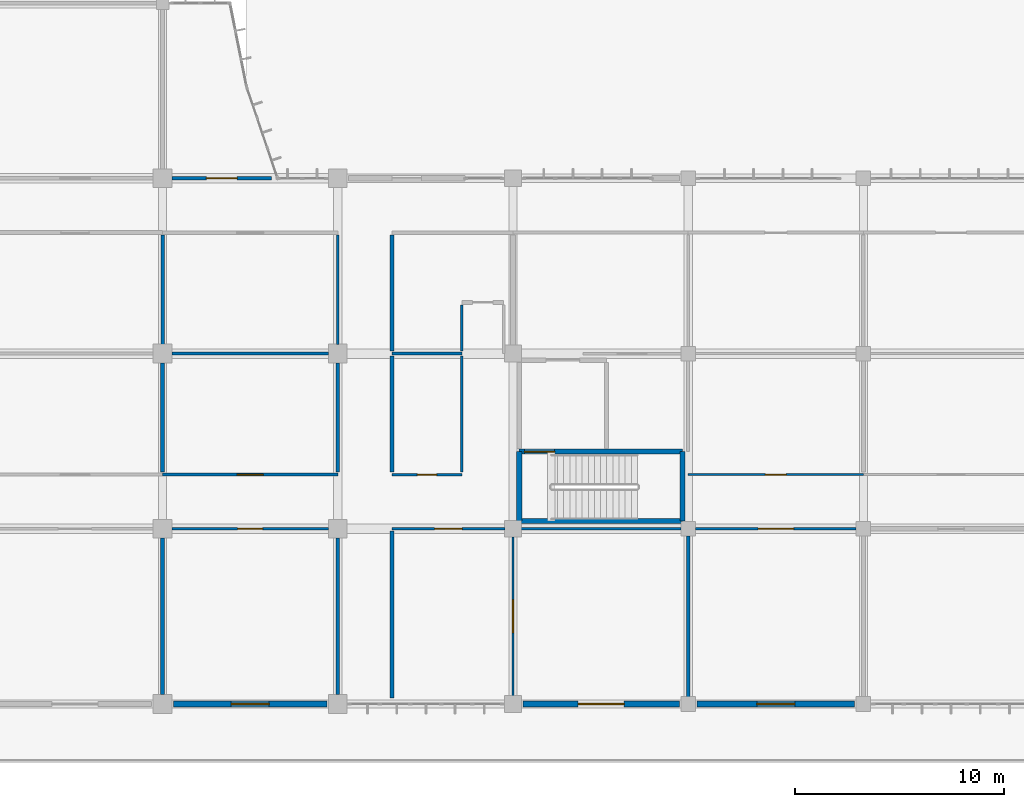
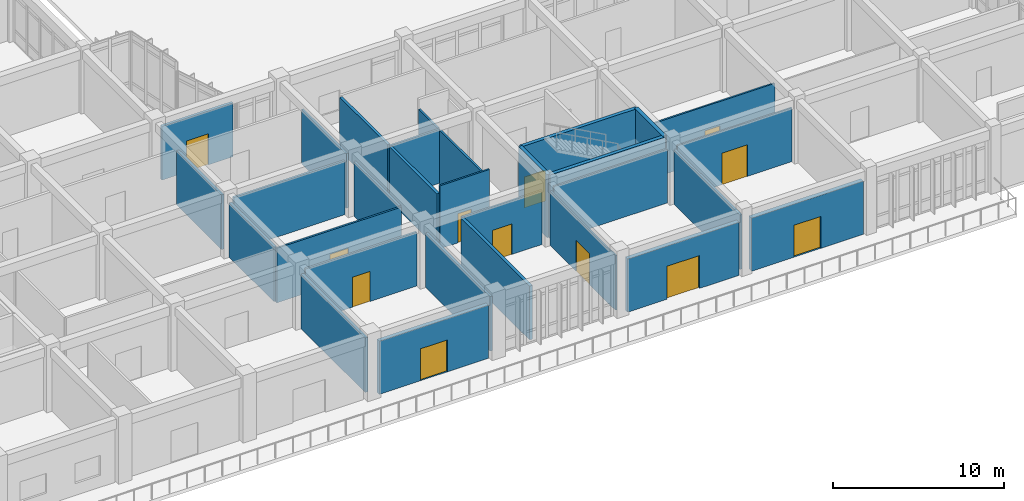
# One storey, part 107 of 138: 30 walls, 12 doors, 12 openings.
"""IFC4 building model written with IfcOpenShell, lengths in metres."""

import ifcopenshell
import ifcopenshell.guid

model = None  # the IFC model being written
_history = None  # IfcOwnerHistory: only IFC2X3 demands one
_inside = {}  # id of a spatial element -> (the spatial element, [elements in it])
_under = {}  # id of a project, library or spatial element -> (it, [spatial elements below it])
_declared = {}  # id of a project -> (the project, [libraries it declares])
_typed = {}  # id of a type object -> (the type object, [elements of that type])
_made_of = {}  # id of a material, layer set ... -> (it, [elements and type objects made of it])


def new_model(schema):
    """Start an empty IFC model of exactly this schema.

    Asked for "IFC4X3", IfcOpenShell would pick the latest addendum, in which some entities
    have other attributes; the version numbers below select the first issue.
    IFC2X3 requires an IfcOwnerHistory on every rooted entity: one is made here for all.
    """
    global model, _history
    if schema == "IFC4X3":
        model = ifcopenshell.file(schema_version=(4, 3, 0, 0))
    else:
        model = ifcopenshell.file(schema=schema)
    _inside.clear()
    _under.clear()
    _declared.clear()
    _typed.clear()
    _made_of.clear()
    _history = None
    if model.schema == "IFC2X3":
        org = make("IfcOrganization", Name="unknown")
        user = make(
            "IfcPersonAndOrganization",
            ThePerson=make("IfcPerson", FamilyName="unknown"),
            TheOrganization=org,
        )
        app = make(
            "IfcApplication",
            ApplicationDeveloper=org,
            Version="unknown",
            ApplicationFullName="unknown",
            ApplicationIdentifier="unknown",
        )
        _history = make(
            "IfcOwnerHistory",
            OwningUser=user,
            OwningApplication=app,
            ChangeAction="ADDED",
            CreationDate=0,
        )
    return model


def make(cls, **values):
    """One entity of the class cls with the attributes given. An attribute that is None is left unset."""
    return model.create_entity(
        cls, **{name: value for name, value in values.items() if value is not None}
    )


def rooted(cls, **values):
    """An entity with a GlobalId (a new one), such as an element, a storey or a relation."""
    return make(cls, GlobalId=ifcopenshell.guid.new(), OwnerHistory=_history, **values)


def si_unit(unit_type, name, prefix=None):
    """IfcSIUnit, for example si_unit("LENGTHUNIT", "METRE", prefix="MILLI")."""
    return make("IfcSIUnit", UnitType=unit_type, Prefix=prefix, Name=name)


def assignment(units):
    """IfcUnitAssignment: the units of a project."""
    return None if units is None else make("IfcUnitAssignment", Units=units)


def point(xyz):
    """IfcCartesianPoint."""
    return None if xyz is None else make("IfcCartesianPoint", Coordinates=xyz)


def direction(xyz):
    """IfcDirection."""
    return None if xyz is None else make("IfcDirection", DirectionRatios=xyz)


def frame(location, z_axis=None, x_axis=None):
    """IfcAxis2Placement3D, a coordinate frame: its origin and axes. An axis left out is left unset."""
    return make(
        "IfcAxis2Placement3D",
        Location=point(location),
        Axis=direction(z_axis),
        RefDirection=direction(x_axis),
    )


def frame_2d(location, x_axis=None):
    """IfcAxis2Placement2D, a coordinate frame in the plane: its origin and x axis."""
    return make(
        "IfcAxis2Placement2D", Location=point(location), RefDirection=direction(x_axis)
    )


def origin():
    """The frame at (0, 0, 0) with its axes left unset."""
    return frame((0.0, 0.0, 0.0))


def place(relative_to, where):
    """IfcLocalPlacement: puts the frame where relative to a parent placement (None: the world)."""
    return make(
        "IfcLocalPlacement", PlacementRelTo=relative_to, RelativePlacement=where
    )


def context(
    kind, dimensions, precision=None, world=None, true_north=None, identifier=None
):
    """IfcGeometricRepresentationContext, for example the 3D "Model" context."""
    return make(
        "IfcGeometricRepresentationContext",
        ContextIdentifier=identifier,
        ContextType=kind,
        CoordinateSpaceDimension=dimensions,
        Precision=precision,
        WorldCoordinateSystem=world,
        TrueNorth=true_north,
    )


def subcontext(parent, identifier, kind, view, scale=None):
    """IfcGeometricRepresentationSubContext, for example "Body" below "Model"."""
    return make(
        "IfcGeometricRepresentationSubContext",
        ContextIdentifier=identifier,
        ContextType=kind,
        ParentContext=parent,
        TargetScale=scale,
        TargetView=view,
    )


def project(units=None, contexts=None):
    """IfcProject with its units and contexts."""
    return rooted(
        "IfcProject",
        Name="project",
        RepresentationContexts=contexts,
        UnitsInContext=assignment(units),
    )


def spatial(cls, under=None, at=None, **own):
    """A site, building, storey or space (cls), placed at a placement, below another one or the project."""
    s = rooted(cls, ObjectPlacement=at, **own)
    if under is not None:
        _under.setdefault(under.id(), (under, []))[1].append(s)
    return s


def profile(cls, at=None, kind="AREA", **sizes):
    """A parametric profile (cls). Its sizes go by their IFC names, for example OverallWidth=200.0."""
    return make(cls, ProfileType=kind, Position=at, **sizes)


def rectangle(**sizes):
    """IfcRectangleProfileDef."""
    return profile("IfcRectangleProfileDef", **sizes)


def extrude(swept, where, along, depth):
    """IfcExtrudedAreaSolid: the profile swept, set in the frame where, extruded along a direction by depth."""
    return make(
        "IfcExtrudedAreaSolid",
        SweptArea=swept,
        Position=where,
        ExtrudedDirection=direction(along),
        Depth=depth,
    )


def shape(context_of_items, identifier, shape_type, items):
    """IfcShapeRepresentation: the items that make up one representation, for example the "Body"."""
    return make(
        "IfcShapeRepresentation",
        ContextOfItems=context_of_items,
        RepresentationIdentifier=identifier,
        RepresentationType=shape_type,
        Items=items,
    )


def material(Name=None, Category=None):
    """IfcMaterial."""
    return make("IfcMaterial", Name=Name, Category=Category)


def layer(
    of_material, thickness, ventilated=None, Name=None, Category=None, Priority=None
):
    """IfcMaterialLayer: one layer of a wall or slab, of a material (None: an air gap)."""
    return make(
        "IfcMaterialLayer",
        Material=of_material,
        LayerThickness=thickness,
        IsVentilated=ventilated,
        Name=Name,
        Category=Category,
        Priority=Priority,
    )


def layer_set(layers, Name=None):
    """IfcMaterialLayerSet."""
    return make("IfcMaterialLayerSet", MaterialLayers=layers, LayerSetName=Name)


def made_of(thing, what):
    """Note that an element or type object is made of a material, layer set ...; save() writes the relation."""
    if what is not None:
        _made_of.setdefault(what.id(), (what, []))[1].append(thing)
    return thing


def type_object(cls, material=None, **own):
    """A type object (cls), such as IfcWallType, which elements share."""
    return made_of(rooted(cls, **own), material)


def element(
    cls,
    number,
    at=None,
    inside=None,
    cuts=None,
    type_object=None,
    material=None,
    context=None,
    identifier="Body",
    shape_type=None,
    held_by="IfcProductDefinitionShape",
    body=None,
    shapes=None,
    **own,
):
    """One element of the class cls, such as IfcWall. Its Tag is "e" and its number.

    at: its placement. inside: the storey or other place that contains it. cuts: it is an
    opening in that element (IfcRelVoidsElement). A single representation is given by context,
    identifier, shape_type and body (its items); several are given by shapes. held_by: the class
    of the entity that holds the representations. save() writes the other relations.
    """
    e = rooted(cls, Tag="e%d" % number, ObjectPlacement=at, **own)
    if body is not None:
        shapes = [shape(context, identifier, shape_type, body)]
    if shapes is not None:
        e.Representation = make(held_by, Representations=shapes)
    if inside is not None:
        _inside.setdefault(inside.id(), (inside, []))[1].append(e)
    if cuts is not None:
        rooted(
            "IfcRelVoidsElement", RelatingBuildingElement=cuts, RelatedOpeningElement=e
        )
    if type_object is not None:
        _typed.setdefault(type_object.id(), (type_object, []))[1].append(e)
    return made_of(e, material)


def fill(opening, filler):
    """IfcRelFillsElement: the door or window that sits in an opening."""
    return rooted(
        "IfcRelFillsElement",
        RelatingOpeningElement=opening,
        RelatedBuildingElement=filler,
    )


def aggregate(whole, parts):
    """IfcRelAggregates: a whole, such as a stair, and the parts it consists of."""
    return rooted("IfcRelAggregates", RelatingObject=whole, RelatedObjects=parts)


def save(model, path):
    """Write the relations noted so far, then the file.

    IfcRelAggregates (storeys below a building ...), IfcRelContainedInSpatialStructure (elements
    in a storey), IfcRelDefinesByType, IfcRelAssociatesMaterial and IfcRelDeclares: one each for
    every whole, place, type object, material and project.
    """
    for whole, parts in _under.values():
        aggregate(whole, parts)
    for where, things in _inside.values():
        rooted(
            "IfcRelContainedInSpatialStructure",
            RelatedElements=things,
            RelatingStructure=where,
        )
    for kind, things in _typed.values():
        rooted("IfcRelDefinesByType", RelatedObjects=things, RelatingType=kind)
    for what, things in _made_of.values():
        rooted("IfcRelAssociatesMaterial", RelatedObjects=things, RelatingMaterial=what)
    for by, libraries in _declared.values():
        rooted("IfcRelDeclares", RelatingContext=by, RelatedDefinitions=libraries)
    model.write(path)


model = new_model("IFC4")

# Units and contexts
model_context = context("Model", 3, precision=1e-05, world=origin(), true_north=direction((0.0, 1.0)))
body_context = subcontext(model_context, "Body", "Model", "MODEL_VIEW")
ifc_project = project(units=[si_unit("LENGTHUNIT", "METRE"), si_unit("AREAUNIT", "SQUARE_METRE"), si_unit("VOLUMEUNIT", "CUBIC_METRE"), si_unit("PLANEANGLEUNIT", "RADIAN"), si_unit("MASSUNIT", "GRAM", prefix="KILO")], contexts=[model_context])

# Site, building, storey
site_placement = place(None, origin())
site = spatial("IfcSite", under=ifc_project, at=site_placement, CompositionType="ELEMENT")
building_placement = place(site_placement, origin())
building = spatial("IfcBuilding", under=site, at=building_placement, Name="Bramfleet General Hospital", CompositionType="ELEMENT")
storey_placement = place(building_placement, origin())
storey = spatial("IfcBuildingStorey", under=building, at=storey_placement, Name="L00", CompositionType="ELEMENT", Elevation=0.0)

# Wall, opening, door
ifc_material_1 = material(Name="Precast concrete C40/50", Category="concrete")
ifc_layer_1 = layer(ifc_material_1, 0.294921875, Name="WT-EW-05")
ifc_layer_set_1 = layer_set([ifc_layer_1], Name="Precast concrete C40/50")
wall_type_1 = type_object("IfcWallType", Name="WT-EW-05", PredefinedType="SOLIDWALL", material=ifc_layer_set_1)
wall_1_placement = place(storey_placement, frame((159.175048828125, 0.0, 0.0), z_axis=(0.0, 0.0, 1.0), x_axis=(-1.0, 0.0, 0.0)))
wall_1 = element("IfcWall", 1, at=wall_1_placement, inside=storey, type_object=wall_type_1, Name="L00 Exterior Wall 136", PredefinedType="SOLIDWALL", context=body_context, shape_type="SweptSolid", body=[
    extrude(rectangle(XDim=7.550048828125, YDim=0.294921875, at=frame_2d((3.77490234375, 0.0))), origin(), (0.0, 0.0, 1.0), 3.7900390625),
])
opening_1_placement = place(wall_1_placement, frame((2.864990234375, 0.0, 0.0)))
opening_1 = element("IfcOpeningElement", 2, at=opening_1_placement, cuts=wall_1, Name="Opening D-L00-EXT-007", PredefinedType="OPENING", context=body_context, shape_type="SweptSolid", body=[
    extrude(rectangle(XDim=1.820068359375, YDim=2.280029296875, at=frame_2d((0.91015625, 1.14013671875))), frame((0.0, 0.157470703125, 0.0), z_axis=(0.0, -1.0, 0.0), x_axis=(1.0, 0.0, 0.0)), (0.0, 0.0, 1.0), 0.31494140625),
])
ifc_material_2 = material(Name="Thermally broken steel and laminated safety glass", Category="steel")
door_type_1 = type_object("IfcDoorType", Name="DR-ED-02", OperationType="NOTDEFINED", PredefinedType="DOOR", material=ifc_material_2)
door_1_placement = place(opening_1_placement, origin())
door_1 = element("IfcDoor", 3, at=door_1_placement, inside=storey, type_object=door_type_1, Name="Ground Exterior Pedestrian Door D-L00-EXT-007", OperationType="DOUBLE_SWING_LEFT", OverallHeight=2.280029296875, OverallWidth=1.820068359375, PredefinedType="DOOR", context=body_context, shape_type="SweptSolid", body=[
    extrude(rectangle(XDim=1.820068359375, YDim=2.280029296875, at=frame_2d((0.91015625, 1.14013671875))), frame((0.0, 0.02490234375, 0.0), z_axis=(0.0, -1.0, 0.0), x_axis=(1.0, 0.0, 0.0)), (0.0, 0.0, 1.0), 0.050048828125),
])
fill(opening_1, door_1)

ifc_layer_2 = layer(ifc_material_1, 0.280029296875, Name="WT-EW-06")
ifc_layer_set_2 = layer_set([ifc_layer_2], Name="Precast concrete C40/50")
wall_type_2 = type_object("IfcWallType", Name="WT-EW-06", PredefinedType="SOLIDWALL", material=ifc_layer_set_2)
wall_2_placement = place(storey_placement, frame((150.77490234375, 0.0, 0.0), z_axis=(0.0, 0.0, 1.0), x_axis=(-1.0, 0.0, 0.0)))
wall_2 = element("IfcWall", 4, at=wall_2_placement, inside=storey, type_object=wall_type_2, Name="L00 Exterior Wall 137", PredefinedType="SOLIDWALL", context=body_context, shape_type="SweptSolid", body=[
    extrude(rectangle(XDim=7.5, YDim=0.280029296875, at=frame_2d((3.75, 0.0))), origin(), (0.0, 0.0, 1.0), 3.7900390625),
])
opening_2_placement = place(wall_2_placement, frame((2.64990234375, 0.0, 0.0)))
opening_2 = element("IfcOpeningElement", 5, at=opening_2_placement, cuts=wall_2, Name="Opening D-L00-EXT-008", PredefinedType="OPENING", context=body_context, shape_type="SweptSolid", body=[
    extrude(rectangle(XDim=2.199951171875, YDim=2.35009765625, at=frame_2d((1.10009765625, 1.175048828125))), frame((0.0, 0.14990234375, 0.0), z_axis=(0.0, -1.0, 0.0), x_axis=(1.0, 0.0, 0.0)), (0.0, 0.0, 1.0), 0.300048828125),
])
door_type_2 = type_object("IfcDoorType", Name="DR-ED-01", OperationType="NOTDEFINED", PredefinedType="DOOR", material=ifc_material_2)
door_2_placement = place(opening_2_placement, origin())
door_2 = element("IfcDoor", 6, at=door_2_placement, inside=storey, type_object=door_type_2, Name="Ground Exterior Pedestrian Door D-L00-EXT-008", OperationType="DOUBLE_SWING_LEFT", OverallHeight=2.35009765625, OverallWidth=2.199951171875, PredefinedType="DOOR", context=body_context, shape_type="SweptSolid", body=[
    extrude(rectangle(XDim=2.199951171875, YDim=2.35009765625, at=frame_2d((1.10009765625, 1.175048828125))), frame((0.0, 0.02490234375, 0.0), z_axis=(0.0, -1.0, 0.0), x_axis=(1.0, 0.0, 0.0)), (0.0, 0.0, 1.0), 0.050048828125),
])
fill(opening_2, door_2)

ifc_layer_3 = layer(ifc_material_1, 0.264892578125, Name="WT-EW-07")
ifc_layer_set_3 = layer_set([ifc_layer_3], Name="Precast concrete C40/50")
wall_type_3 = type_object("IfcWallType", Name="WT-EW-07", PredefinedType="SOLIDWALL", material=ifc_layer_set_3)
wall_3_placement = place(storey_placement, frame((133.875, 0.0, 0.0), z_axis=(0.0, 0.0, 1.0), x_axis=(-1.0, 0.0, 0.0)))
wall_3 = element("IfcWall", 7, at=wall_3_placement, inside=storey, type_object=wall_type_3, Name="L00 Exterior Wall 138", PredefinedType="SOLIDWALL", context=body_context, shape_type="SweptSolid", body=[
    extrude(rectangle(XDim=7.35009765625, YDim=0.264892578125, at=frame_2d((3.675048828125, 0.0))), origin(), (0.0, 0.0, 1.0), 3.7900390625),
])
opening_3_placement = place(wall_3_placement, frame((2.764892578125, 0.0, 0.0)))
opening_3 = element("IfcOpeningElement", 8, at=opening_3_placement, cuts=wall_3, Name="Opening D-L00-EXT-009", PredefinedType="OPENING", context=body_context, shape_type="SweptSolid", body=[
    extrude(rectangle(XDim=1.820068359375, YDim=2.280029296875, at=frame_2d((0.91015625, 1.14013671875))), frame((0.0, 0.142333984375, 0.0), z_axis=(0.0, -1.0, 0.0), x_axis=(1.0, 0.0, 0.0)), (0.0, 0.0, 1.0), 0.284912109375),
])
door_3_placement = place(opening_3_placement, origin())
door_3 = element("IfcDoor", 9, at=door_3_placement, inside=storey, type_object=door_type_1, Name="Ground Exterior Pedestrian Door D-L00-EXT-009", OperationType="DOUBLE_SWING_LEFT", OverallHeight=2.280029296875, OverallWidth=1.820068359375, PredefinedType="DOOR", context=body_context, shape_type="SweptSolid", body=[
    extrude(rectangle(XDim=1.820068359375, YDim=2.280029296875, at=frame_2d((0.91015625, 1.14013671875))), frame((0.0, 0.02490234375, 0.0), z_axis=(0.0, -1.0, 0.0), x_axis=(1.0, 0.0, 0.0)), (0.0, 0.0, 1.0), 0.050048828125),
])
fill(opening_3, door_3)

# Walls
ifc_material_3 = material(Name="Concrete C35/45", Category="concrete")
ifc_layer_4 = layer(ifc_material_3, 0.205078125, Name="WT-IW-02")
ifc_layer_set_4 = layer_set([ifc_layer_4], Name="Concrete C35/45")
wall_type_4 = type_object("IfcWallType", Name="WT-IW-02", PredefinedType="PARTITIONING", material=ifc_layer_set_4)
wall_4_placement = place(storey_placement, frame((137.0, 0.280029296875, 0.0), z_axis=(0.0, 0.0, 1.0), x_axis=(0.0, 1.0, 0.0)))
element("IfcWall", 10, at=wall_4_placement, inside=storey, type_object=wall_type_4, Name="L00 Interior Partition IW-L00-1154", PredefinedType="PARTITIONING", context=body_context, shape_type="SweptSolid", body=[
    extrude(rectangle(XDim=8.0048828125, YDim=0.205078125, at=frame_2d((4.00244140625, 0.0))), origin(), (0.0, 0.0, 1.0), 3.840087890625),
])
ifc_layer_5 = layer(ifc_material_3, 0.18994140625, Name="WT-IW-03")
ifc_layer_set_5 = layer_set([ifc_layer_5], Name="Concrete C35/45")
wall_type_5 = type_object("IfcWallType", Name="WT-IW-03", PredefinedType="PARTITIONING", material=ifc_layer_set_5)
wall_5_placement = place(storey_placement, frame((126.0, 0.445068359375, 0.0), z_axis=(0.0, 0.0, 1.0), x_axis=(0.0, 1.0, 0.0)))
element("IfcWall", 11, at=wall_5_placement, inside=storey, type_object=wall_type_5, Name="L00 Interior Partition IW-L00-1131", PredefinedType="PARTITIONING", context=body_context, shape_type="SweptSolid", body=[
    extrude(rectangle(XDim=7.510009765625, YDim=0.18994140625, at=frame_2d((3.7548828125, 0.0))), origin(), (0.0, 0.0, 1.0), 3.889892578125),
])
wall_6_placement = place(storey_placement, frame((137.0, 11.114990234375, 0.0), z_axis=(0.0, 0.0, 1.0), x_axis=(0.0, 1.0, 0.0)))
element("IfcWall", 12, at=wall_6_placement, inside=storey, type_object=wall_type_5, Name="L00 Interior Partition IW-L00-1155", PredefinedType="PARTITIONING", context=body_context, shape_type="SweptSolid", body=[
    extrude(rectangle(XDim=5.570068359375, YDim=0.18994140625, at=frame_2d((2.78515625, 0.0))), origin(), (0.0, 0.0, 1.0), 3.840087890625),
])

# Wall, opening, door
ifc_layer_6 = layer(ifc_material_3, 0.179931640625, Name="WT-IW-04")
ifc_layer_set_6 = layer_set([ifc_layer_6], Name="Concrete C35/45")
wall_type_6 = type_object("IfcWallType", Name="WT-IW-04", PredefinedType="PARTITIONING", material=ifc_layer_set_6)
wall_7_placement = place(storey_placement, frame((126.445068359375, 25.199951171875, 0.0), z_axis=(0.0, 0.0, 1.0), x_axis=(1.0, 0.0, 0.0)))
wall_7 = element("IfcWall", 13, at=wall_7_placement, inside=storey, type_object=wall_type_6, Name="L00 Interior Partition IW-L00-0670", PredefinedType="PARTITIONING", context=body_context, shape_type="SweptSolid", body=[
    extrude(rectangle(XDim=4.7802734375, YDim=0.179931640625, at=frame_2d((2.39013671875, 0.0))), origin(), (0.0, 0.0, 1.0), 3.840087890625),
])
opening_4_placement = place(wall_7_placement, frame((1.650146484375, 0.0, 0.0)))
opening_4 = element("IfcOpeningElement", 14, at=opening_4_placement, cuts=wall_7, Name="Opening D0560", PredefinedType="OPENING", context=body_context, shape_type="SweptSolid", body=[
    extrude(rectangle(XDim=1.47998046875, YDim=2.219970703125, at=frame_2d((0.739990234375, 1.10986328125))), frame((0.0, 0.099853515625, 0.0), z_axis=(0.0, -1.0, 0.0), x_axis=(1.0, 0.0, 0.0)), (0.0, 0.0, 1.0), 0.199951171875),
])
ifc_material_4 = material(Name="Stainless steel and acoustic timber leaf", Category="steel")
door_type_3 = type_object("IfcDoorType", Name="DR-D-16", OperationType="NOTDEFINED", PredefinedType="DOOR", material=ifc_material_4)
door_4_placement = place(opening_4_placement, origin())
door_4 = element("IfcDoor", 15, at=door_4_placement, inside=storey, type_object=door_type_3, Name="Diagnostic Ultrasound and Fluoroscopy 1503 Door D0560", OperationType="SINGLE_SWING_LEFT", OverallHeight=2.219970703125, OverallWidth=1.47998046875, PredefinedType="DOOR", context=body_context, shape_type="SweptSolid", body=[
    extrude(rectangle(XDim=1.47998046875, YDim=2.219970703125, at=frame_2d((0.739990234375, 1.10986328125))), frame((0.0, 0.02490234375, 0.0), z_axis=(0.0, -1.0, 0.0), x_axis=(1.0, 0.0, 0.0)), (0.0, 0.0, 1.0), 0.050048828125),
])
fill(opening_4, door_4)

# Walls
wall_8_placement = place(storey_placement, frame((126.0, 11.114990234375, 0.0), z_axis=(0.0, 0.0, 1.0), x_axis=(0.0, 1.0, 0.0)))
element("IfcWall", 16, at=wall_8_placement, inside=storey, type_object=wall_type_6, Name="L00 Interior Partition IW-L00-1132", PredefinedType="PARTITIONING", context=body_context, shape_type="SweptSolid", body=[
    extrude(rectangle(XDim=5.239990234375, YDim=0.179931640625, at=frame_2d((2.6201171875, 0.0))), origin(), (0.0, 0.0, 1.0), 3.889892578125),
])
wall_9_placement = place(storey_placement, frame((137.0, 16.9150390625, 0.0), z_axis=(0.0, 0.0, 1.0), x_axis=(0.0, 1.0, 0.0)))
element("IfcWall", 17, at=wall_9_placement, inside=storey, type_object=wall_type_6, Name="L00 Interior Partition IW-L00-1156", PredefinedType="PARTITIONING", context=body_context, shape_type="SweptSolid", body=[
    extrude(rectangle(XDim=5.570068359375, YDim=0.179931640625, at=frame_2d((2.78515625, 0.0))), origin(), (0.0, 0.0, 1.0), 3.840087890625),
])
ifc_material_5 = material(Name="Gypsum plasterboard on acoustic steel studs", Category="steel")
ifc_layer_7 = layer(ifc_material_5, 0.169921875, Name="WT-IW-05")
ifc_layer_set_7 = layer_set([ifc_layer_7], Name="Gypsum plasterboard on acoustic steel studs")
wall_type_7 = type_object("IfcWallType", Name="WT-IW-05", PredefinedType="PARTITIONING", material=ifc_layer_set_7)
wall_10_placement = place(storey_placement, frame((126.0, 17.2451171875, 0.0), z_axis=(0.0, 0.0, 1.0), x_axis=(0.0, 1.0, 0.0)))
element("IfcWall", 18, at=wall_10_placement, inside=storey, type_object=wall_type_7, Name="L00 Interior Partition IW-L00-1133", PredefinedType="PARTITIONING", context=body_context, shape_type="SweptSolid", body=[
    extrude(rectangle(XDim=5.239990234375, YDim=0.169921875, at=frame_2d((2.6201171875, 0.0))), origin(), (0.0, 0.0, 1.0), 3.889892578125),
])
ifc_layer_8 = layer(ifc_material_5, 0.159912109375, Name="WT-IW-06")
ifc_layer_set_8 = layer_set([ifc_layer_8], Name="Gypsum plasterboard on acoustic steel studs")
wall_type_8 = type_object("IfcWallType", Name="WT-IW-06", PredefinedType="PARTITIONING", material=ifc_layer_set_8)
wall_11_placement = place(storey_placement, frame((134.39990234375, 0.445068359375, 0.0), z_axis=(0.0, 0.0, 1.0), x_axis=(0.0, 1.0, 0.0)))
element("IfcWall", 19, at=wall_11_placement, inside=storey, type_object=wall_type_8, Name="L00 Interior Partition IW-L00-1146", PredefinedType="PARTITIONING", context=body_context, shape_type="SweptSolid", body=[
    extrude(rectangle(XDim=7.510009765625, YDim=0.159912109375, at=frame_2d((3.7548828125, 0.0))), origin(), (0.0, 0.0, 1.0), 3.889892578125),
])
ifc_layer_9 = layer(ifc_material_5, 0.14990234375, Name="WT-IW-07")
ifc_layer_set_9 = layer_set([ifc_layer_9], Name="Gypsum plasterboard on acoustic steel studs")
wall_type_9 = type_object("IfcWallType", Name="WT-IW-07", PredefinedType="PARTITIONING", material=ifc_layer_set_9)
wall_12_placement = place(storey_placement, frame((134.39990234375, 11.114990234375, 0.0), z_axis=(0.0, 0.0, 1.0), x_axis=(0.0, 1.0, 0.0)))
element("IfcWall", 20, at=wall_12_placement, inside=storey, type_object=wall_type_9, Name="L00 Interior Partition IW-L00-1147", PredefinedType="PARTITIONING", context=body_context, shape_type="SweptSolid", body=[
    extrude(rectangle(XDim=5.239990234375, YDim=0.14990234375, at=frame_2d((2.6201171875, 0.0))), origin(), (0.0, 0.0, 1.0), 3.889892578125),
])
wall_13_placement = place(storey_placement, frame((151.199951171875, 0.344970703125, 0.0), z_axis=(0.0, 0.0, 1.0), x_axis=(0.0, 1.0, 0.0)))
element("IfcWall", 21, at=wall_13_placement, inside=storey, type_object=wall_type_9, Name="L00 Interior Partition IW-L00-1171", PredefinedType="PARTITIONING", context=body_context, shape_type="SweptSolid", body=[
    extrude(rectangle(XDim=7.7099609375, YDim=0.14990234375, at=frame_2d((3.85498046875, 0.0))), origin(), (0.0, 0.0, 1.0), 3.889892578125),
])
ifc_layer_10 = layer(ifc_material_5, 0.139892578125, Name="WT-IW-08")
ifc_layer_set_10 = layer_set([ifc_layer_10], Name="Gypsum plasterboard on acoustic steel studs")
wall_type_10 = type_object("IfcWallType", Name="WT-IW-08", PredefinedType="PARTITIONING", material=ifc_layer_set_10)
wall_14_placement = place(storey_placement, frame((126.445068359375, 16.800048828125, 0.0), z_axis=(0.0, 0.0, 1.0), x_axis=(1.0, 0.0, 0.0)))
element("IfcWall", 22, at=wall_14_placement, inside=storey, type_object=wall_type_10, Name="L00 Interior Partition IW-L00-0632", PredefinedType="PARTITIONING", context=body_context, shape_type="SweptSolid", body=[
    extrude(rectangle(XDim=7.510009765625, YDim=0.139892578125, at=frame_2d((3.7548828125, 0.0))), origin(), (0.0, 0.0, 1.0), 3.840087890625),
])
wall_15_placement = place(storey_placement, frame((134.39990234375, 17.2451171875, 0.0), z_axis=(0.0, 0.0, 1.0), x_axis=(0.0, 1.0, 0.0)))
element("IfcWall", 23, at=wall_15_placement, inside=storey, type_object=wall_type_10, Name="L00 Interior Partition IW-L00-1148", PredefinedType="PARTITIONING", context=body_context, shape_type="SweptSolid", body=[
    extrude(rectangle(XDim=5.239990234375, YDim=0.139892578125, at=frame_2d((2.6201171875, 0.0))), origin(), (0.0, 0.0, 1.0), 3.889892578125),
])

# Wall, opening, door
ifc_layer_11 = layer(ifc_material_5, 0.1298828125, Name="WT-IW-09")
ifc_layer_set_11 = layer_set([ifc_layer_11], Name="Gypsum plasterboard on acoustic steel studs")
wall_type_11 = type_object("IfcWallType", Name="WT-IW-09", PredefinedType="PARTITIONING", material=ifc_layer_set_11)
wall_16_placement = place(storey_placement, frame((126.445068359375, 8.39990234375, 0.0), z_axis=(0.0, 0.0, 1.0), x_axis=(1.0, 0.0, 0.0)))
wall_16 = element("IfcWall", 24, at=wall_16_placement, inside=storey, type_object=wall_type_11, Name="L00 Interior Partition IW-L00-0609", PredefinedType="PARTITIONING", context=body_context, shape_type="SweptSolid", body=[
    extrude(rectangle(XDim=7.510009765625, YDim=0.1298828125, at=frame_2d((3.7548828125, 0.0))), origin(), (0.0, 0.0, 1.0), 3.840087890625),
])
opening_5_placement = place(wall_16_placement, frame((3.155029296875, 0.0, 0.0)))
opening_5 = element("IfcOpeningElement", 25, at=opening_5_placement, cuts=wall_16, Name="Opening D0557", PredefinedType="OPENING", context=body_context, shape_type="SweptSolid", body=[
    extrude(rectangle(XDim=1.199951171875, YDim=2.14990234375, at=frame_2d((0.60009765625, 1.074951171875))), frame((0.0, 0.074951171875, 0.0), z_axis=(0.0, -1.0, 0.0), x_axis=(1.0, 0.0, 0.0)), (0.0, 0.0, 1.0), 0.14990234375),
])
door_type_4 = type_object("IfcDoorType", Name="DR-D-13", OperationType="NOTDEFINED", PredefinedType="DOOR", material=ifc_material_4)
door_5_placement = place(opening_5_placement, origin())
door_5 = element("IfcDoor", 26, at=door_5_placement, inside=storey, type_object=door_type_4, Name="Outpatient Clinic Room L00-1500 Door D0557", OperationType="SINGLE_SWING_RIGHT", OverallHeight=2.14990234375, OverallWidth=1.199951171875, PredefinedType="DOOR", context=body_context, shape_type="SweptSolid", body=[
    extrude(rectangle(XDim=1.199951171875, YDim=2.14990234375, at=frame_2d((0.60009765625, 1.074951171875))), frame((0.0, 0.02490234375, 0.0), z_axis=(0.0, -1.0, 0.0), x_axis=(1.0, 0.0, 0.0)), (0.0, 0.0, 1.0), 0.050048828125),
])
fill(opening_5, door_5)

wall_17_placement = place(storey_placement, frame((126.0, 11.0, 0.0), z_axis=(0.0, 0.0, 1.0), x_axis=(1.0, 0.0, 0.0)))
wall_17 = element("IfcWall", 27, at=wall_17_placement, inside=storey, type_object=wall_type_11, Name="L00 Interior Partition IW-L00-0621", PredefinedType="PARTITIONING", context=body_context, shape_type="SweptSolid", body=[
    extrude(rectangle(XDim=8.39990234375, YDim=0.1298828125, at=frame_2d((4.199951171875, 0.0))), origin(), (0.0, 0.0, 1.0), 3.889892578125),
])
opening_6_placement = place(wall_17_placement, frame((3.574951171875, 0.0, 0.0)))
opening_6 = element("IfcOpeningElement", 28, at=opening_6_placement, cuts=wall_17, Name="Opening D0558", PredefinedType="OPENING", context=body_context, shape_type="SweptSolid", body=[
    extrude(rectangle(XDim=1.25, YDim=2.199951171875, at=frame_2d((0.625, 1.10009765625))), frame((0.0, 0.074951171875, 0.0), z_axis=(0.0, -1.0, 0.0), x_axis=(1.0, 0.0, 0.0)), (0.0, 0.0, 1.0), 0.14990234375),
])
door_type_5 = type_object("IfcDoorType", Name="DR-D-14", OperationType="NOTDEFINED", PredefinedType="DOOR", material=ifc_material_4)
door_6_placement = place(opening_6_placement, origin())
door_6 = element("IfcDoor", 29, at=door_6_placement, inside=storey, type_object=door_type_5, Name="Outpatient Clinic Room L00-1501 Door D0558", OperationType="SINGLE_SWING_LEFT", OverallHeight=2.199951171875, OverallWidth=1.25, PredefinedType="DOOR", context=body_context, shape_type="SweptSolid", body=[
    extrude(rectangle(XDim=1.25, YDim=2.199951171875, at=frame_2d((0.625, 1.10009765625))), frame((0.0, 0.02490234375, 0.0), z_axis=(0.0, -1.0, 0.0), x_axis=(1.0, 0.0, 0.0)), (0.0, 0.0, 1.0), 0.050048828125),
])
fill(opening_6, door_6)

# Walls
wall_18_placement = place(storey_placement, frame((137.0, 16.800048828125, 0.0), z_axis=(0.0, 0.0, 1.0), x_axis=(1.0, 0.0, 0.0)))
element("IfcWall", 30, at=wall_18_placement, inside=storey, type_object=wall_type_11, Name="L00 Interior Partition IW-L00-0633", PredefinedType="PARTITIONING", context=body_context, shape_type="SweptSolid", body=[
    extrude(rectangle(XDim=3.35009765625, YDim=0.1298828125, at=frame_2d((1.675048828125, 0.0))), origin(), (0.0, 0.0, 1.0), 3.840087890625),
])
wall_19_placement = place(storey_placement, frame((140.35009765625, 11.114990234375, 0.0), z_axis=(0.0, 0.0, 1.0), x_axis=(0.0, 1.0, 0.0)))
element("IfcWall", 31, at=wall_19_placement, inside=storey, type_object=wall_type_11, Name="L00 Interior Partition IW-L00-1161", PredefinedType="PARTITIONING", context=body_context, shape_type="SweptSolid", body=[
    extrude(rectangle(XDim=5.570068359375, YDim=0.1298828125, at=frame_2d((2.78515625, 0.0))), origin(), (0.0, 0.0, 1.0), 3.840087890625),
])

# Wall, opening, door
ifc_layer_12 = layer(ifc_material_5, 0.1201171875, Name="WT-IW-10")
ifc_layer_set_12 = layer_set([ifc_layer_12], Name="Gypsum plasterboard on acoustic steel studs")
wall_type_12 = type_object("IfcWallType", Name="WT-IW-10", PredefinedType="PARTITIONING", material=ifc_layer_set_12)
wall_20_placement = place(storey_placement, frame((137.0, 8.39990234375, 0.0), z_axis=(0.0, 0.0, 1.0), x_axis=(1.0, 0.0, 0.0)))
wall_20 = element("IfcWall", 32, at=wall_20_placement, inside=storey, type_object=wall_type_12, Name="L00 Interior Partition IW-L00-0610", PredefinedType="PARTITIONING", context=body_context, shape_type="SweptSolid", body=[
    extrude(rectangle(XDim=5.405029296875, YDim=0.1201171875, at=frame_2d((2.70263671875, 0.0))), origin(), (0.0, 0.0, 1.0), 3.840087890625),
])
opening_7_placement = place(wall_20_placement, frame((2.04248046875, 0.0, 0.0)))
opening_7 = element("IfcOpeningElement", 33, at=opening_7_placement, cuts=wall_20, Name="Opening D0568", PredefinedType="OPENING", context=body_context, shape_type="SweptSolid", body=[
    extrude(rectangle(XDim=1.320068359375, YDim=2.179931640625, at=frame_2d((0.66015625, 1.08984375))), frame((0.0, 0.070068359375, 0.0), z_axis=(0.0, -1.0, 0.0), x_axis=(1.0, 0.0, 0.0)), (0.0, 0.0, 1.0), 0.14013671875),
])
door_type_6 = type_object("IfcDoorType", Name="DR-D-24", OperationType="NOTDEFINED", PredefinedType="DOOR", material=ifc_material_4)
door_7_placement = place(opening_7_placement, origin())
door_7 = element("IfcDoor", 34, at=door_7_placement, inside=storey, type_object=door_type_6, Name="Outpatient Clinic Room L00-1600 Door D0568", OperationType="SINGLE_SWING_LEFT", OverallHeight=2.179931640625, OverallWidth=1.320068359375, PredefinedType="DOOR", context=body_context, shape_type="SweptSolid", body=[
    extrude(rectangle(XDim=1.320068359375, YDim=2.179931640625, at=frame_2d((0.66015625, 1.08984375))), frame((0.0, 0.02490234375, 0.0), z_axis=(0.0, -1.0, 0.0), x_axis=(1.0, 0.0, 0.0)), (0.0, 0.0, 1.0), 0.050048828125),
])
fill(opening_7, door_7)

wall_21_placement = place(storey_placement, frame((137.0, 11.0, 0.0), z_axis=(0.0, 0.0, 1.0), x_axis=(1.0, 0.0, 0.0)))
wall_21 = element("IfcWall", 35, at=wall_21_placement, inside=storey, type_object=wall_type_12, Name="L00 Interior Partition IW-L00-0622", PredefinedType="PARTITIONING", context=body_context, shape_type="SweptSolid", body=[
    extrude(rectangle(XDim=3.35009765625, YDim=0.1201171875, at=frame_2d((1.675048828125, 0.0))), origin(), (0.0, 0.0, 1.0), 4.489990234375),
])
opening_8_placement = place(wall_21_placement, frame((1.215087890625, 0.0, 0.0)))
opening_8 = element("IfcOpeningElement", 36, at=opening_8_placement, cuts=wall_21, Name="Opening D0569", PredefinedType="OPENING", context=body_context, shape_type="SweptSolid", body=[
    extrude(rectangle(XDim=0.919921875, YDim=2.080078125, at=frame_2d((0.4599609375, 1.0400390625))), frame((0.0, 0.070068359375, 0.0), z_axis=(0.0, -1.0, 0.0), x_axis=(1.0, 0.0, 0.0)), (0.0, 0.0, 1.0), 0.14013671875),
])
door_type_7 = type_object("IfcDoorType", Name="DR-D-25", OperationType="NOTDEFINED", PredefinedType="DOOR", material=ifc_material_4)
door_8_placement = place(opening_8_placement, origin())
door_8 = element("IfcDoor", 37, at=door_8_placement, inside=storey, type_object=door_type_7, Name="Outpatient Clinic Room L00-1601 Door D0569", OperationType="SINGLE_SWING_RIGHT", OverallHeight=2.080078125, OverallWidth=0.919921875, PredefinedType="DOOR", context=body_context, shape_type="SweptSolid", body=[
    extrude(rectangle(XDim=0.919921875, YDim=2.080078125, at=frame_2d((0.4599609375, 1.0400390625))), frame((0.0, 0.02490234375, 0.0), z_axis=(0.0, -1.0, 0.0), x_axis=(1.0, 0.0, 0.0)), (0.0, 0.0, 1.0), 0.050048828125),
])
fill(opening_8, door_8)

# Walls
wall_22_placement = place(storey_placement, frame((140.35009765625, 16.9150390625, 0.0), z_axis=(0.0, 0.0, 1.0), x_axis=(0.0, 1.0, 0.0)))
element("IfcWall", 38, at=wall_22_placement, inside=storey, type_object=wall_type_12, Name="L00 Interior Partition IW-L00-1162", PredefinedType="PARTITIONING", context=body_context, shape_type="SweptSolid", body=[
    extrude(rectangle(XDim=2.219970703125, YDim=0.1201171875, at=frame_2d((1.10986328125, 0.0))), origin(), (0.0, 0.0, 1.0), 3.840087890625),
])
ifc_layer_13 = layer(ifc_material_5, 0.112060546875, Name="WT-IW-11")
ifc_layer_set_13 = layer_set([ifc_layer_13], Name="Gypsum plasterboard on acoustic steel studs")
wall_type_13 = type_object("IfcWallType", Name="WT-IW-11", PredefinedType="PARTITIONING", material=ifc_layer_set_13)
wall_23_placement = place(storey_placement, frame((143.195068359375, 8.39990234375, 0.0), z_axis=(0.0, 0.0, 1.0), x_axis=(1.0, 0.0, 0.0)))
element("IfcWall", 39, at=wall_23_placement, inside=storey, type_object=wall_type_13, Name="L00 Interior Partition IW-L00-0611", PredefinedType="PARTITIONING", context=body_context, shape_type="SweptSolid", body=[
    extrude(rectangle(XDim=7.659912109375, YDim=0.112060546875, at=frame_2d((3.830078125, 0.0))), origin(), (0.0, 0.0, 1.0), 3.840087890625),
])

# Wall, opening, door
wall_24_placement = place(storey_placement, frame((151.199951171875, 11.0, 0.0), z_axis=(0.0, 0.0, 1.0), x_axis=(1.0, 0.0, 0.0)))
wall_24 = element("IfcWall", 40, at=wall_24_placement, inside=storey, type_object=wall_type_13, Name="L00 Interior Partition IW-L00-0623", PredefinedType="PARTITIONING", context=body_context, shape_type="SweptSolid", body=[
    extrude(rectangle(XDim=8.400146484375, YDim=0.112060546875, at=frame_2d((4.2001953125, 0.0))), origin(), (0.0, 0.0, 1.0), 3.889892578125),
])
opening_9_placement = place(wall_24_placement, frame((3.699951171875, 0.0, 0.0)))
opening_9 = element("IfcOpeningElement", 41, at=opening_9_placement, cuts=wall_24, Name="Opening D0584", PredefinedType="OPENING", context=body_context, shape_type="SweptSolid", body=[
    extrude(rectangle(XDim=1.0, YDim=2.14990234375, at=frame_2d((0.5, 1.074951171875))), frame((0.0, 0.06591796875, 0.0), z_axis=(0.0, -1.0, 0.0), x_axis=(1.0, 0.0, 0.0)), (0.0, 0.0, 1.0), 0.132080078125),
])
door_type_8 = type_object("IfcDoorType", Name="DR-D-08", OperationType="NOTDEFINED", PredefinedType="DOOR", material=ifc_material_4)
door_9_placement = place(opening_9_placement, origin())
door_9 = element("IfcDoor", 42, at=door_9_placement, inside=storey, type_object=door_type_8, Name="Outpatient Clinic Room L00-1801 Door D0584", OperationType="SINGLE_SWING_LEFT", OverallHeight=2.14990234375, OverallWidth=1.0, PredefinedType="DOOR", context=body_context, shape_type="SweptSolid", body=[
    extrude(rectangle(XDim=1.0, YDim=2.14990234375, at=frame_2d((0.5, 1.074951171875))), frame((0.0, 0.02490234375, 0.0), z_axis=(0.0, -1.0, 0.0), x_axis=(1.0, 0.0, 0.0)), (0.0, 0.0, 1.0), 0.050048828125),
])
fill(opening_9, door_9)

ifc_layer_14 = layer(ifc_material_5, 0.10009765625, Name="WT-IW-12")
ifc_layer_set_14 = layer_set([ifc_layer_14], Name="Gypsum plasterboard on acoustic steel studs")
wall_type_14 = type_object("IfcWallType", Name="WT-IW-12", PredefinedType="PARTITIONING", material=ifc_layer_set_14)
wall_25_placement = place(storey_placement, frame((151.544921875, 8.39990234375, 0.0), z_axis=(0.0, 0.0, 1.0), x_axis=(1.0, 0.0, 0.0)))
wall_25 = element("IfcWall", 43, at=wall_25_placement, inside=storey, type_object=wall_type_14, Name="L00 Interior Partition IW-L00-0612", PredefinedType="PARTITIONING", context=body_context, shape_type="SweptSolid", body=[
    extrude(rectangle(XDim=7.7099609375, YDim=0.10009765625, at=frame_2d((3.85498046875, 0.0))), origin(), (0.0, 0.0, 1.0), 3.840087890625),
])
opening_10_placement = place(wall_25_placement, frame((3.0048828125, 0.0, 0.0)))
opening_10 = element("IfcOpeningElement", 44, at=opening_10_placement, cuts=wall_25, Name="Opening D0583", PredefinedType="OPENING", context=body_context, shape_type="SweptSolid", body=[
    extrude(rectangle(XDim=1.699951171875, YDim=2.25, at=frame_2d((0.85009765625, 1.125))), frame((0.0, 0.06005859375, 0.0), z_axis=(0.0, -1.0, 0.0), x_axis=(1.0, 0.0, 0.0)), (0.0, 0.0, 1.0), 0.1201171875),
])
door_type_9 = type_object("IfcDoorType", Name="DR-D-07", OperationType="NOTDEFINED", PredefinedType="DOOR", material=ifc_material_4)
door_10_placement = place(opening_10_placement, origin())
door_10 = element("IfcDoor", 45, at=door_10_placement, inside=storey, type_object=door_type_9, Name="Outpatient Clinic Room L00-1800 Door D0583", OperationType="DOUBLE_SWING_RIGHT", OverallHeight=2.25, OverallWidth=1.699951171875, PredefinedType="DOOR", context=body_context, shape_type="SweptSolid", body=[
    extrude(rectangle(XDim=1.699951171875, YDim=2.25, at=frame_2d((0.85009765625, 1.125))), frame((0.0, 0.02490234375, 0.0), z_axis=(0.0, -1.0, 0.0), x_axis=(1.0, 0.0, 0.0)), (0.0, 0.0, 1.0), 0.050048828125),
])
fill(opening_10, door_10)

wall_26_placement = place(storey_placement, frame((142.800048828125, 0.39501953125, 0.0), z_axis=(0.0, 0.0, 1.0), x_axis=(0.0, 1.0, 0.0)))
wall_26 = element("IfcWall", 46, at=wall_26_placement, inside=storey, type_object=wall_type_14, Name="L00 Interior Partition IW-L00-1164", PredefinedType="PARTITIONING", context=body_context, shape_type="SweptSolid", body=[
    extrude(rectangle(XDim=7.60986328125, YDim=0.10009765625, at=frame_2d((3.804931640625, 0.0))), origin(), (0.0, 0.0, 1.0), 3.889892578125),
])
opening_11_placement = place(wall_26_placement, frame((3.014892578125, 0.0, 0.0)))
opening_11 = element("IfcOpeningElement", 47, at=opening_11_placement, cuts=wall_26, Name="Opening D0576", PredefinedType="OPENING", context=body_context, shape_type="SweptSolid", body=[
    extrude(rectangle(XDim=1.580078125, YDim=2.219970703125, at=frame_2d((0.7900390625, 1.10986328125))), frame((0.0, 0.06005859375, 0.0), z_axis=(0.0, -1.0, 0.0), x_axis=(1.0, 0.0, 0.0)), (0.0, 0.0, 1.0), 0.1201171875),
])
door_type_10 = type_object("IfcDoorType", Name="DR-D-32", OperationType="NOTDEFINED", PredefinedType="DOOR", material=ifc_material_4)
door_11_placement = place(opening_11_placement, origin())
door_11 = element("IfcDoor", 48, at=door_11_placement, inside=storey, type_object=door_type_10, Name="Outpatient Clinic Room L00-1700 Door D0576", OperationType="DOUBLE_SWING_LEFT", OverallHeight=2.219970703125, OverallWidth=1.580078125, PredefinedType="DOOR", context=body_context, shape_type="SweptSolid", body=[
    extrude(rectangle(XDim=1.580078125, YDim=2.219970703125, at=frame_2d((0.7900390625, 1.10986328125))), frame((0.0, 0.02490234375, 0.0), z_axis=(0.0, -1.0, 0.0), x_axis=(1.0, 0.0, 0.0)), (0.0, 0.0, 1.0), 0.050048828125),
])
fill(opening_11, door_11)

# Walls
ifc_material_6 = material(Name="Concrete C40/50", Category="concrete")
ifc_layer_15 = layer(ifc_material_6, 0.239990234375, Name="WT-SW-240")
ifc_layer_set_15 = layer_set([ifc_layer_15], Name="Concrete C40/50")
wall_type_15 = type_object("IfcWallType", Name="WT-SW-240", PredefinedType="SHEAR", material=ifc_layer_set_15)
wall_27_placement = place(storey_placement, frame((143.10009765625, 8.780029296875, 0.0), z_axis=(0.0, 0.0, 1.0), x_axis=(1.0, 0.0, 0.0)))
element("IfcWall", 49, at=wall_27_placement, inside=storey, type_object=wall_type_15, Name="L00 C10 South Stair Shear Wall", PredefinedType="SHEAR", context=body_context, shape_type="SweptSolid", body=[
    extrude(rectangle(XDim=7.81982421875, YDim=0.239990234375, at=frame_2d((3.909912109375, 0.0))), origin(), (0.0, 0.0, 1.0), 4.5),
])
for number, where, z_axis, x_axis, name in (
    (50, (143.10009765625, 8.780029296875, 0.0), (0.0, 0.0, 1.0), (0.0, 1.0, 0.0), "L00 C10 West Stair Shear Wall"),
    (51, (150.919921875, 8.780029296875, 0.0), (0.0, 0.0, 1.0), (0.0, 1.0, 0.0), "L00 C10 East Stair Shear Wall"),
):
    element("IfcWall", number, at=place(storey_placement, frame(where, z_axis=z_axis, x_axis=x_axis)), inside=storey, type_object=wall_type_15, Name=name, PredefinedType="SHEAR", context=body_context, shape_type="SweptSolid", body=[
        extrude(rectangle(XDim=3.320068359375, YDim=0.239990234375, at=frame_2d((1.66015625, 0.0))), origin(), (0.0, 0.0, 1.0), 4.5),
    ])

# Wall, opening, door
wall_28_placement = place(storey_placement, frame((143.10009765625, 12.10009765625, 0.0), z_axis=(0.0, 0.0, 1.0), x_axis=(1.0, 0.0, 0.0)))
wall_28 = element("IfcWall", 52, at=wall_28_placement, inside=storey, type_object=wall_type_15, Name="L00 C10 Stair-Lobby Shear Wall", PredefinedType="SHEAR", context=body_context, shape_type="SweptSolid", body=[
    extrude(rectangle(XDim=7.81982421875, YDim=0.239990234375, at=frame_2d((3.909912109375, 0.0))), origin(), (0.0, 0.0, 1.0), 4.5),
])
opening_12_placement = place(wall_28_placement, frame((0.25, 0.0, 0.0)))
opening_12 = element("IfcOpeningElement", 53, at=opening_12_placement, cuts=wall_28, Name="Opening D0125", PredefinedType="OPENING", context=body_context, shape_type="SweptSolid", body=[
    extrude(rectangle(XDim=1.449951171875, YDim=2.199951171875, at=frame_2d((0.72509765625, 1.10009765625))), frame((0.0, 0.1298828125, 0.0), z_axis=(0.0, -1.0, 0.0), x_axis=(1.0, 0.0, 0.0)), (0.0, 0.0, 1.0), 0.260009765625),
])
door_type_11 = type_object("IfcDoorType", Name="DR-D-03", OperationType="NOTDEFINED", PredefinedType="DOOR", material=ifc_material_4)
door_12_placement = place(opening_12_placement, origin())
door_12 = element("IfcDoor", 54, at=door_12_placement, inside=storey, type_object=door_type_11, Name="L00 C10 Escape Stair Fire Door D0125", OperationType="SINGLE_SWING_RIGHT", OverallHeight=2.199951171875, OverallWidth=1.449951171875, PredefinedType="DOOR", context=body_context, shape_type="SweptSolid", body=[
    extrude(rectangle(XDim=1.449951171875, YDim=2.199951171875, at=frame_2d((0.72509765625, 1.10009765625))), frame((0.0, 0.02490234375, 0.0), z_axis=(0.0, -1.0, 0.0), x_axis=(1.0, 0.0, 0.0)), (0.0, 0.0, 1.0), 0.050048828125),
])
fill(opening_12, door_12)

save(model, "model.ifc")
